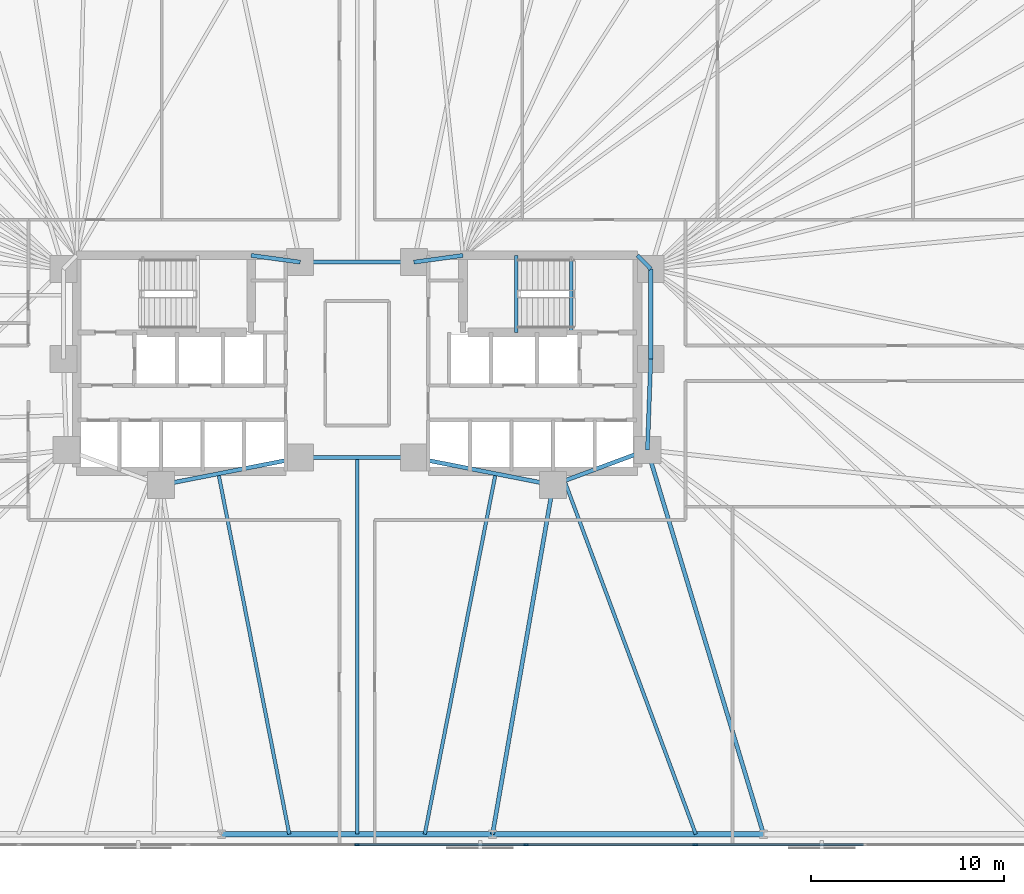
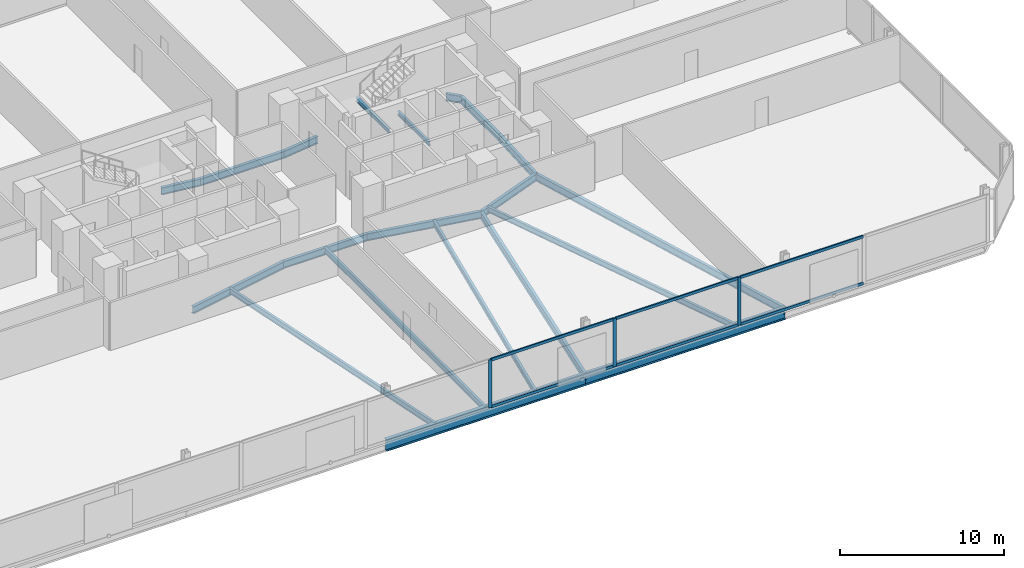
# One storey, part 7 of 16: 20 beams, 9 members, 1 element without a shape of its own.
"""IFC4 building model written with IfcOpenShell, lengths in metres."""

import ifcopenshell
import ifcopenshell.guid

model = None  # the IFC model being written
_history = None  # IfcOwnerHistory: only IFC2X3 demands one
_inside = {}  # id of a spatial element -> (the spatial element, [elements in it])
_under = {}  # id of a project, library or spatial element -> (it, [spatial elements below it])
_declared = {}  # id of a project -> (the project, [libraries it declares])
_typed = {}  # id of a type object -> (the type object, [elements of that type])
_made_of = {}  # id of a material, layer set ... -> (it, [elements and type objects made of it])


def new_model(schema):
    """Start an empty IFC model of exactly this schema.

    Asked for "IFC4X3", IfcOpenShell would pick the latest addendum, in which some entities
    have other attributes; the version numbers below select the first issue.
    IFC2X3 requires an IfcOwnerHistory on every rooted entity: one is made here for all.
    """
    global model, _history
    if schema == "IFC4X3":
        model = ifcopenshell.file(schema_version=(4, 3, 0, 0))
    else:
        model = ifcopenshell.file(schema=schema)
    _inside.clear()
    _under.clear()
    _declared.clear()
    _typed.clear()
    _made_of.clear()
    _history = None
    if model.schema == "IFC2X3":
        org = make("IfcOrganization", Name="unknown")
        user = make(
            "IfcPersonAndOrganization",
            ThePerson=make("IfcPerson", FamilyName="unknown"),
            TheOrganization=org,
        )
        app = make(
            "IfcApplication",
            ApplicationDeveloper=org,
            Version="unknown",
            ApplicationFullName="unknown",
            ApplicationIdentifier="unknown",
        )
        _history = make(
            "IfcOwnerHistory",
            OwningUser=user,
            OwningApplication=app,
            ChangeAction="ADDED",
            CreationDate=0,
        )
    return model


def make(cls, **values):
    """One entity of the class cls with the attributes given. An attribute that is None is left unset."""
    return model.create_entity(
        cls, **{name: value for name, value in values.items() if value is not None}
    )


def rooted(cls, **values):
    """An entity with a GlobalId (a new one), such as an element, a storey or a relation."""
    return make(cls, GlobalId=ifcopenshell.guid.new(), OwnerHistory=_history, **values)


def si_unit(unit_type, name, prefix=None):
    """IfcSIUnit, for example si_unit("LENGTHUNIT", "METRE", prefix="MILLI")."""
    return make("IfcSIUnit", UnitType=unit_type, Prefix=prefix, Name=name)


def assignment(units):
    """IfcUnitAssignment: the units of a project."""
    return None if units is None else make("IfcUnitAssignment", Units=units)


def point(xyz):
    """IfcCartesianPoint."""
    return None if xyz is None else make("IfcCartesianPoint", Coordinates=xyz)


def direction(xyz):
    """IfcDirection."""
    return None if xyz is None else make("IfcDirection", DirectionRatios=xyz)


def frame(location, z_axis=None, x_axis=None):
    """IfcAxis2Placement3D, a coordinate frame: its origin and axes. An axis left out is left unset."""
    return make(
        "IfcAxis2Placement3D",
        Location=point(location),
        Axis=direction(z_axis),
        RefDirection=direction(x_axis),
    )


def frame_2d(location, x_axis=None):
    """IfcAxis2Placement2D, a coordinate frame in the plane: its origin and x axis."""
    return make(
        "IfcAxis2Placement2D", Location=point(location), RefDirection=direction(x_axis)
    )


def origin():
    """The frame at (0, 0, 0) with its axes left unset."""
    return frame((0.0, 0.0, 0.0))


def origin_2d():
    """The frame at (0, 0) in the plane with its x axis left unset."""
    return frame_2d((0.0, 0.0))


def place(relative_to, where):
    """IfcLocalPlacement: puts the frame where relative to a parent placement (None: the world)."""
    return make(
        "IfcLocalPlacement", PlacementRelTo=relative_to, RelativePlacement=where
    )


def context(
    kind, dimensions, precision=None, world=None, true_north=None, identifier=None
):
    """IfcGeometricRepresentationContext, for example the 3D "Model" context."""
    return make(
        "IfcGeometricRepresentationContext",
        ContextIdentifier=identifier,
        ContextType=kind,
        CoordinateSpaceDimension=dimensions,
        Precision=precision,
        WorldCoordinateSystem=world,
        TrueNorth=true_north,
    )


def subcontext(parent, identifier, kind, view, scale=None):
    """IfcGeometricRepresentationSubContext, for example "Body" below "Model"."""
    return make(
        "IfcGeometricRepresentationSubContext",
        ContextIdentifier=identifier,
        ContextType=kind,
        ParentContext=parent,
        TargetScale=scale,
        TargetView=view,
    )


def project(units=None, contexts=None):
    """IfcProject with its units and contexts."""
    return rooted(
        "IfcProject",
        Name="project",
        RepresentationContexts=contexts,
        UnitsInContext=assignment(units),
    )


def spatial(cls, under=None, at=None, **own):
    """A site, building, storey or space (cls), placed at a placement, below another one or the project."""
    s = rooted(cls, ObjectPlacement=at, **own)
    if under is not None:
        _under.setdefault(under.id(), (under, []))[1].append(s)
    return s


def profile(cls, at=None, kind="AREA", **sizes):
    """A parametric profile (cls). Its sizes go by their IFC names, for example OverallWidth=200.0."""
    return make(cls, ProfileType=kind, Position=at, **sizes)


def rectangle(**sizes):
    """IfcRectangleProfileDef."""
    return profile("IfcRectangleProfileDef", **sizes)


def i_section(**sizes):
    """IfcIShapeProfileDef."""
    return profile("IfcIShapeProfileDef", **sizes)


def extrude(swept, where, along, depth):
    """IfcExtrudedAreaSolid: the profile swept, set in the frame where, extruded along a direction by depth."""
    return make(
        "IfcExtrudedAreaSolid",
        SweptArea=swept,
        Position=where,
        ExtrudedDirection=direction(along),
        Depth=depth,
    )


def shape(context_of_items, identifier, shape_type, items):
    """IfcShapeRepresentation: the items that make up one representation, for example the "Body"."""
    return make(
        "IfcShapeRepresentation",
        ContextOfItems=context_of_items,
        RepresentationIdentifier=identifier,
        RepresentationType=shape_type,
        Items=items,
    )


def material(Name=None, Category=None):
    """IfcMaterial."""
    return make("IfcMaterial", Name=Name, Category=Category)


def material_profile(
    of_material, cross_section, Name=None, Category=None, Priority=None
):
    """IfcMaterialProfile: a cross section and its material."""
    return make(
        "IfcMaterialProfile",
        Name=Name,
        Material=of_material,
        Profile=cross_section,
        Priority=Priority,
        Category=Category,
    )


def profile_set(profiles, Name=None, composite=None):
    """IfcMaterialProfileSet."""
    return make(
        "IfcMaterialProfileSet",
        Name=Name,
        MaterialProfiles=profiles,
        CompositeProfile=composite,
    )


def made_of(thing, what):
    """Note that an element or type object is made of a material, layer set ...; save() writes the relation."""
    if what is not None:
        _made_of.setdefault(what.id(), (what, []))[1].append(thing)
    return thing


def type_object(cls, material=None, **own):
    """A type object (cls), such as IfcWallType, which elements share."""
    return made_of(rooted(cls, **own), material)


def element(
    cls,
    number,
    at=None,
    inside=None,
    cuts=None,
    type_object=None,
    material=None,
    context=None,
    identifier="Body",
    shape_type=None,
    held_by="IfcProductDefinitionShape",
    body=None,
    shapes=None,
    **own,
):
    """One element of the class cls, such as IfcWall. Its Tag is "e" and its number.

    at: its placement. inside: the storey or other place that contains it. cuts: it is an
    opening in that element (IfcRelVoidsElement). A single representation is given by context,
    identifier, shape_type and body (its items); several are given by shapes. held_by: the class
    of the entity that holds the representations. save() writes the other relations.
    """
    e = rooted(cls, Tag="e%d" % number, ObjectPlacement=at, **own)
    if body is not None:
        shapes = [shape(context, identifier, shape_type, body)]
    if shapes is not None:
        e.Representation = make(held_by, Representations=shapes)
    if inside is not None:
        _inside.setdefault(inside.id(), (inside, []))[1].append(e)
    if cuts is not None:
        rooted(
            "IfcRelVoidsElement", RelatingBuildingElement=cuts, RelatedOpeningElement=e
        )
    if type_object is not None:
        _typed.setdefault(type_object.id(), (type_object, []))[1].append(e)
    return made_of(e, material)


def aggregate(whole, parts):
    """IfcRelAggregates: a whole, such as a stair, and the parts it consists of."""
    return rooted("IfcRelAggregates", RelatingObject=whole, RelatedObjects=parts)


def save(model, path):
    """Write the relations noted so far, then the file.

    IfcRelAggregates (storeys below a building ...), IfcRelContainedInSpatialStructure (elements
    in a storey), IfcRelDefinesByType, IfcRelAssociatesMaterial and IfcRelDeclares: one each for
    every whole, place, type object, material and project.
    """
    for whole, parts in _under.values():
        aggregate(whole, parts)
    for where, things in _inside.values():
        rooted(
            "IfcRelContainedInSpatialStructure",
            RelatedElements=things,
            RelatingStructure=where,
        )
    for kind, things in _typed.values():
        rooted("IfcRelDefinesByType", RelatedObjects=things, RelatingType=kind)
    for what, things in _made_of.values():
        rooted("IfcRelAssociatesMaterial", RelatedObjects=things, RelatingMaterial=what)
    for by, libraries in _declared.values():
        rooted("IfcRelDeclares", RelatingContext=by, RelatedDefinitions=libraries)
    model.write(path)


model = new_model("IFC4")

# Units and contexts
model_context = context("Model", 3, precision=1e-05, world=origin(), true_north=direction((0.0, 1.0)))
body_context = subcontext(model_context, "Body", "Model", "MODEL_VIEW")
ifc_project = project(units=[si_unit("LENGTHUNIT", "METRE"), si_unit("AREAUNIT", "SQUARE_METRE"), si_unit("VOLUMEUNIT", "CUBIC_METRE"), si_unit("PLANEANGLEUNIT", "RADIAN"), si_unit("MASSUNIT", "GRAM", prefix="KILO")], contexts=[model_context])

# Site, building, storey
site_placement = place(None, origin())
site = spatial("IfcSite", under=ifc_project, at=site_placement, CompositionType="ELEMENT")
building_placement = place(site_placement, origin())
building = spatial("IfcBuilding", under=site, at=building_placement, Name="Menara Jurai Vektor", CompositionType="ELEMENT")
storey_placement = place(building_placement, frame((0.0, 0.0, 59.800048828125)))
storey = spatial("IfcBuildingStorey", under=building, at=storey_placement, Name="L14", CompositionType="ELEMENT", Elevation=59.800048828125)

# Curtain wall, members
ifc_material_1 = material(Name="Anodised Pale Aluminium & Low-E Double Glazing", Category="aluminium")
curtain_wall_type = type_object("IfcCurtainWallType", Name="CW-BLK1", PredefinedType="NOTDEFINED", material=ifc_material_1)
curtain_wall_placement = place(storey_placement, origin())
curtain_wall = element("IfcCurtainWall", 1, at=curtain_wall_placement, inside=storey, type_object=curtain_wall_type, Name="Unitised Curtain Wall L14 F01", PredefinedType="NOTDEFINED")
ifc_material_2 = material(Name="Anodised Pale Aluminium Mullion", Category="aluminium")
ifc_material_profile_1 = material_profile(ifc_material_2, rectangle(XDim=0.094970703125, YDim=0.239990234375, at=origin_2d()), Name="ALU MUL 95x240")
ifc_profile_set_1 = profile_set([ifc_material_profile_1], Name="Anodised Pale Aluminium Mullion")
member_type_1 = type_object("IfcMemberType", Name="CW-BLK1-MUL", PredefinedType="MULLION", material=ifc_profile_set_1)
member_1_placement = place(storey_placement, frame((0.0, -25.0, 0.0), z_axis=(0.0, 0.0, 1.0), x_axis=(0.0, 1.0, 0.0)))
member_1 = element("IfcMember", 2, at=member_1_placement, type_object=member_type_1, Name="CW-01 mullion 5", PredefinedType="MULLION", context=body_context, shape_type="SweptSolid", body=[
    extrude(rectangle(XDim=0.094970703125, YDim=0.239990234375, at=origin_2d()), origin(), (0.0, 0.0, 1.0), 3.574951171875),
])
member_2_placement = place(storey_placement, frame((8.780029296875, -25.0, 0.0), z_axis=(0.0, 0.0, 1.0), x_axis=(0.0, 1.0, 0.0)))
member_2 = element("IfcMember", 3, at=member_2_placement, type_object=member_type_1, Name="CW-01 mullion 6", PredefinedType="MULLION", context=body_context, shape_type="SweptSolid", body=[
    extrude(rectangle(XDim=0.094970703125, YDim=0.239990234375, at=origin_2d()), origin(), (0.0, 0.0, 1.0), 3.574951171875),
])
member_3_placement = place(storey_placement, frame((17.56005859375, -25.0, 0.0), z_axis=(0.0, 0.0, 1.0), x_axis=(0.0, 1.0, 0.0)))
member_3 = element("IfcMember", 4, at=member_3_placement, type_object=member_type_1, Name="CW-01 mullion 7", PredefinedType="MULLION", context=body_context, shape_type="SweptSolid", body=[
    extrude(rectangle(XDim=0.094970703125, YDim=0.239990234375, at=origin_2d()), origin(), (0.0, 0.0, 1.0), 3.574951171875),
])
ifc_material_3 = material(Name="Anodised Pale Aluminium Transom", Category="aluminium")
ifc_material_profile_2 = material_profile(ifc_material_3, rectangle(XDim=0.094970703125, YDim=0.199951171875, at=origin_2d()), Name="ALU TRN 95x200")
ifc_profile_set_2 = profile_set([ifc_material_profile_2], Name="Anodised Pale Aluminium Transom")
member_type_2 = type_object("IfcMemberType", Name="CW-BLK1-TRN", PredefinedType="USERDEFINED", material=ifc_profile_set_2)
member_4_placement = place(storey_placement, frame((0.047607421875, -25.0, 0.04736328125), z_axis=(1.0, 0.0, 0.0), x_axis=(0.0, 1.0, 0.0)))
member_4 = element("IfcMember", 5, at=member_4_placement, type_object=member_type_2, Name="CW-01 transom 5.1", ObjectType="TRANSOM", PredefinedType="USERDEFINED", context=body_context, shape_type="SweptSolid", body=[
    extrude(rectangle(XDim=0.094970703125, YDim=0.199951171875, at=origin_2d()), origin(), (0.0, 0.0, 1.0), 8.684814453125),
])
member_5_placement = place(storey_placement, frame((0.047607421875, -25.0, 3.52734375), z_axis=(1.0, 0.0, 0.0), x_axis=(0.0, 1.0, 0.0)))
member_5 = element("IfcMember", 6, at=member_5_placement, type_object=member_type_2, Name="CW-01 transom 5.2", ObjectType="TRANSOM", PredefinedType="USERDEFINED", context=body_context, shape_type="SweptSolid", body=[
    extrude(rectangle(XDim=0.094970703125, YDim=0.199951171875, at=origin_2d()), origin(), (0.0, 0.0, 1.0), 8.684814453125),
])
member_6_placement = place(storey_placement, frame((8.827392578125, -25.0, 0.04736328125), z_axis=(1.0, 0.0, 0.0), x_axis=(0.0, 1.0, 0.0)))
member_6 = element("IfcMember", 7, at=member_6_placement, type_object=member_type_2, Name="CW-01 transom 6.1", ObjectType="TRANSOM", PredefinedType="USERDEFINED", context=body_context, shape_type="SweptSolid", body=[
    extrude(rectangle(XDim=0.094970703125, YDim=0.199951171875, at=origin_2d()), origin(), (0.0, 0.0, 1.0), 8.68505859375),
])
member_7_placement = place(storey_placement, frame((8.827392578125, -25.0, 3.52734375), z_axis=(1.0, 0.0, 0.0), x_axis=(0.0, 1.0, 0.0)))
member_7 = element("IfcMember", 8, at=member_7_placement, type_object=member_type_2, Name="CW-01 transom 6.2", ObjectType="TRANSOM", PredefinedType="USERDEFINED", context=body_context, shape_type="SweptSolid", body=[
    extrude(rectangle(XDim=0.094970703125, YDim=0.199951171875, at=origin_2d()), origin(), (0.0, 0.0, 1.0), 8.68505859375),
])
member_8_placement = place(storey_placement, frame((17.607421875, -25.0, 0.04736328125), z_axis=(1.0, 0.0, 0.0), x_axis=(0.0, 1.0, 0.0)))
member_8 = element("IfcMember", 9, at=member_8_placement, type_object=member_type_2, Name="CW-01 transom 7.1", ObjectType="TRANSOM", PredefinedType="USERDEFINED", context=body_context, shape_type="SweptSolid", body=[
    extrude(rectangle(XDim=0.094970703125, YDim=0.199951171875, at=origin_2d()), origin(), (0.0, 0.0, 1.0), 8.68505859375),
])
member_9_placement = place(storey_placement, frame((17.607421875, -25.0, 3.52734375), z_axis=(1.0, 0.0, 0.0), x_axis=(0.0, 1.0, 0.0)))
member_9 = element("IfcMember", 10, at=member_9_placement, type_object=member_type_2, Name="CW-01 transom 7.2", ObjectType="TRANSOM", PredefinedType="USERDEFINED", context=body_context, shape_type="SweptSolid", body=[
    extrude(rectangle(XDim=0.094970703125, YDim=0.199951171875, at=origin_2d()), origin(), (0.0, 0.0, 1.0), 8.68505859375),
])
aggregate(curtain_wall, [member_1, member_2, member_3, member_4, member_5, member_6, member_7, member_8, member_9])

# Beams
ifc_material_4 = material(Name="Steel S355", Category="steel")
ifc_material_profile_3 = material_profile(ifc_material_4, i_section(OverallWidth=0.2109375, OverallDepth=0.5390625, WebThickness=0.011962890625, FlangeThickness=0.01904296875, FilletRadius=0.012939453125, at=origin_2d()), Name="UKB 533x210x109")
ifc_profile_set_3 = profile_set([ifc_material_profile_3], Name="Steel S355")
beam_type_1 = type_object("IfcBeamType", Name="STR-BM-533", PredefinedType="BEAM", material=ifc_profile_set_3)
beam_1_placement = place(storey_placement, frame((-5.5, 5.60009765625, -0.49462890625), z_axis=(0.990706818608, -0.136014703483, 0.0), x_axis=(0.136014703483, 0.990706818608, 0.0)))
element("IfcBeam", 11, at=beam_1_placement, inside=storey, type_object=beam_type_1, Name="Core Ring Header Girder L14-CHW-N2", PredefinedType="BEAM", context=body_context, shape_type="SweptSolid", body=[
    extrude(i_section(OverallWidth=0.2109375, OverallDepth=0.5390625, WebThickness=0.011962890625, FlangeThickness=0.01904296875, FilletRadius=0.012939453125, at=origin_2d()), origin(), (0.0, 0.0, 1.0), 2.573974609375),
])
beam_2_placement = place(storey_placement, frame((-10.179931640625, -6.320068359375, -0.49462890625), z_axis=(0.981249044334, 0.192744164614, 0.0), x_axis=(-0.192744164614, 0.981249044334, 0.0)))
element("IfcBeam", 12, at=beam_2_placement, inside=storey, type_object=beam_type_1, Name="Core Ring Header Girder L14-CHW-S2", PredefinedType="BEAM", context=body_context, shape_type="SweptSolid", body=[
    extrude(i_section(OverallWidth=0.2109375, OverallDepth=0.5390625, WebThickness=0.011962890625, FlangeThickness=0.01904296875, FilletRadius=0.012939453125, at=origin_2d()), origin(), (0.0, 0.0, 1.0), 7.3681640625),
])
beam_3_placement = place(storey_placement, frame((2.949951171875, 5.25, -0.49462890625), z_axis=(0.990706818608, 0.136014703483, 0.0), x_axis=(-0.136014703483, 0.990706818608, 0.0)))
element("IfcBeam", 13, at=beam_3_placement, inside=storey, type_object=beam_type_1, Name="Core Ring Header Girder L14-CHE-N1", PredefinedType="BEAM", context=body_context, shape_type="SweptSolid", body=[
    extrude(i_section(OverallWidth=0.2109375, OverallDepth=0.5390625, WebThickness=0.011962890625, FlangeThickness=0.01904296875, FilletRadius=0.012939453125, at=origin_2d()), origin(), (0.0, 0.0, 1.0), 2.573974609375),
])
beam_4_placement = place(storey_placement, frame((14.56005859375, 5.60009765625, -0.49462890625), z_axis=(0.701871936926, -0.712303154672, 0.0), x_axis=(0.712303154672, 0.701871936926, 0.0)))
element("IfcBeam", 14, at=beam_4_placement, inside=storey, type_object=beam_type_1, Name="Core Ring Header Girder L14-CHE-N2", PredefinedType="BEAM", context=body_context, shape_type="SweptSolid", body=[
    extrude(i_section(OverallWidth=0.2109375, OverallDepth=0.5390625, WebThickness=0.011962890625, FlangeThickness=0.01904296875, FilletRadius=0.012939453125, at=origin_2d()), origin(), (0.0, 0.0, 1.0), 0.98291015625),
])
beam_5_placement = place(storey_placement, frame((15.25, 0.219970703125, -0.49462890625), z_axis=(0.0, 1.0, 0.0), x_axis=(-1.0, 0.0, 0.0)))
element("IfcBeam", 15, at=beam_5_placement, inside=storey, type_object=beam_type_1, Name="Core Ring Header Girder L14-CHE-E1", PredefinedType="BEAM", context=body_context, shape_type="SweptSolid", body=[
    extrude(i_section(OverallWidth=0.2109375, OverallDepth=0.5390625, WebThickness=0.011962890625, FlangeThickness=0.01904296875, FilletRadius=0.012939453125, at=origin_2d()), origin(), (0.0, 0.0, 1.0), 4.679931640625),
])
beam_6_placement = place(storey_placement, frame((15.080078125, -4.5, -0.49462890625), z_axis=(0.035977314146, 0.999352606874, 0.0), x_axis=(-0.999352606874, 0.035977314146, 0.0)))
element("IfcBeam", 16, at=beam_6_placement, inside=storey, type_object=beam_type_1, Name="Core Ring Header Girder L14-CHE-E2", PredefinedType="BEAM", context=body_context, shape_type="SweptSolid", body=[
    extrude(i_section(OverallWidth=0.2109375, OverallDepth=0.5390625, WebThickness=0.011962890625, FlangeThickness=0.01904296875, FilletRadius=0.012939453125, at=origin_2d()), origin(), (0.0, 0.0, 1.0), 4.72314453125),
])
beam_7_placement = place(storey_placement, frame((10.179931640625, -6.320068359375, -0.49462890625), z_axis=(0.937424400887, 0.348188874925, 0.0), x_axis=(-0.348188874925, 0.937424400887, 0.0)))
element("IfcBeam", 17, at=beam_7_placement, inside=storey, type_object=beam_type_1, Name="Core Ring Header Girder L14-CHE-S1", PredefinedType="BEAM", context=body_context, shape_type="SweptSolid", body=[
    extrude(i_section(OverallWidth=0.2109375, OverallDepth=0.5390625, WebThickness=0.011962890625, FlangeThickness=0.01904296875, FilletRadius=0.012939453125, at=origin_2d()), origin(), (0.0, 0.0, 1.0), 5.227294921875),
])
beam_8_placement = place(storey_placement, frame((2.949951171875, -4.89990234375, -0.49462890625), z_axis=(0.981249044334, -0.192744164614, 0.0), x_axis=(0.192744164614, 0.981249044334, 0.0)))
element("IfcBeam", 18, at=beam_8_placement, inside=storey, type_object=beam_type_1, Name="Core Ring Header Girder L14-CHE-S2", PredefinedType="BEAM", context=body_context, shape_type="SweptSolid", body=[
    extrude(i_section(OverallWidth=0.2109375, OverallDepth=0.5390625, WebThickness=0.011962890625, FlangeThickness=0.01904296875, FilletRadius=0.012939453125, at=origin_2d()), origin(), (0.0, 0.0, 1.0), 7.3681640625),
])
for number, where, z_axis, x_axis, name in (
    (19, (-2.949951171875, -4.89990234375, -0.49462890625), (1.0, 0.0, 0.0), (0.0, 1.0, 0.0), "Core Ring Header Girder L14-CC-1"),
    (20, (-2.949951171875, 5.25, -0.49462890625), (1.0, 0.0, 0.0), (0.0, 1.0, 0.0), "Core Ring Header Girder L14-CC-2"),
):
    element("IfcBeam", number, at=place(storey_placement, frame(where, z_axis=z_axis, x_axis=x_axis)), inside=storey, type_object=beam_type_1, Name=name, PredefinedType="BEAM", context=body_context, shape_type="SweptSolid", body=[
        extrude(i_section(OverallWidth=0.2109375, OverallDepth=0.5390625, WebThickness=0.011962890625, FlangeThickness=0.01904296875, FilletRadius=0.012939453125, at=origin_2d()), origin(), (0.0, 0.0, 1.0), 5.89990234375),
    ])
beam_9_placement = place(storey_placement, frame((7.03564453125, -24.449951171875, -0.49462890625), z_axis=(0.170880325642, 0.985291791455, 0.0), x_axis=(-0.985291791455, 0.170880325642, 0.0)))
element("IfcBeam", 21, at=beam_9_placement, inside=storey, type_object=beam_type_1, Name="Radial Floor Girder L14-S4", PredefinedType="BEAM", context=body_context, shape_type="SweptSolid", body=[
    extrude(i_section(OverallWidth=0.2109375, OverallDepth=0.5390625, WebThickness=0.011962890625, FlangeThickness=0.01904296875, FilletRadius=0.012939453125, at=origin_2d()), origin(), (0.0, 0.0, 1.0), 18.400634765625),
])
beam_10_placement = place(storey_placement, frame((21.106689453125, -24.449951171875, -0.49462890625), z_axis=(-0.289179812203, 0.957274796604, 0.0), x_axis=(-0.957274796604, -0.289179812203, 0.0)))
element("IfcBeam", 22, at=beam_10_placement, inside=storey, type_object=beam_type_1, Name="Radial Floor Girder L14-S5", PredefinedType="BEAM", context=body_context, shape_type="SweptSolid", body=[
    extrude(i_section(OverallWidth=0.2109375, OverallDepth=0.5390625, WebThickness=0.011962890625, FlangeThickness=0.01904296875, FilletRadius=0.012939453125, at=origin_2d()), origin(), (0.0, 0.0, 1.0), 20.84033203125),
])
ifc_material_profile_4 = material_profile(ifc_material_4, i_section(OverallWidth=0.178955078125, OverallDepth=0.408935546875, WebThickness=0.009033203125, FlangeThickness=0.013916015625, FilletRadius=0.010009765625, at=origin_2d()), Name="UKB 406x178x67")
ifc_profile_set_4 = profile_set([ifc_material_profile_4], Name="Steel S355")
beam_type_2 = type_object("IfcBeamType", Name="STR-JS-406", PredefinedType="JOIST", material=ifc_profile_set_4)
beam_11_placement = place(storey_placement, frame((-3.517822265625, -24.449951171875, -0.429443359375), z_axis=(-0.192723076671, 0.981253186348, 0.0), x_axis=(-0.981253186348, -0.192723076671, 0.0)))
element("IfcBeam", 23, at=beam_11_placement, inside=storey, type_object=beam_type_2, Name="Radial Secondary Floor Joist L14-JS04", PredefinedType="JOIST", context=body_context, shape_type="SweptSolid", body=[
    extrude(i_section(OverallWidth=0.178955078125, OverallDepth=0.408935546875, WebThickness=0.009033203125, FlangeThickness=0.013916015625, FilletRadius=0.010009765625, at=origin_2d()), origin(), (0.0, 0.0, 1.0), 19.07421875),
])
beam_12_placement = place(storey_placement, frame((0.0, -24.449951171875, -0.429443359375), z_axis=(0.0, 1.0, 0.0), x_axis=(-1.0, 0.0, 0.0)))
element("IfcBeam", 24, at=beam_12_placement, inside=storey, type_object=beam_type_2, Name="Radial Secondary Floor Joist L14-JS05", PredefinedType="JOIST", context=body_context, shape_type="SweptSolid", body=[
    extrude(i_section(OverallWidth=0.178955078125, OverallDepth=0.408935546875, WebThickness=0.009033203125, FlangeThickness=0.013916015625, FilletRadius=0.010009765625, at=origin_2d()), origin(), (0.0, 0.0, 1.0), 19.550048828125),
])
beam_13_placement = place(storey_placement, frame((3.517822265625, -24.449951171875, -0.429443359375), z_axis=(0.192723076671, 0.981253186348, 0.0), x_axis=(-0.981253186348, 0.192723076671, 0.0)))
element("IfcBeam", 25, at=beam_13_placement, inside=storey, type_object=beam_type_2, Name="Radial Secondary Floor Joist L14-JS06", PredefinedType="JOIST", context=body_context, shape_type="SweptSolid", body=[
    extrude(i_section(OverallWidth=0.178955078125, OverallDepth=0.408935546875, WebThickness=0.009033203125, FlangeThickness=0.013916015625, FilletRadius=0.010009765625, at=origin_2d()), origin(), (0.0, 0.0, 1.0), 19.07421875),
])
beam_14_placement = place(storey_placement, frame((17.5888671875, -24.449951171875, -0.429443359375), z_axis=(-0.348179014223, 0.937428063403, 0.0), x_axis=(-0.937428063403, -0.348179014223, 0.0)))
element("IfcBeam", 26, at=beam_14_placement, inside=storey, type_object=beam_type_2, Name="Radial Secondary Floor Joist L14-JS07", PredefinedType="JOIST", context=body_context, shape_type="SweptSolid", body=[
    extrude(i_section(OverallWidth=0.178955078125, OverallDepth=0.408935546875, WebThickness=0.009033203125, FlangeThickness=0.013916015625, FilletRadius=0.010009765625, at=origin_2d()), origin(), (0.0, 0.0, 1.0), 19.5751953125),
])
ifc_material_profile_5 = material_profile(ifc_material_4, i_section(OverallWidth=0.1650390625, OverallDepth=0.302978515625, WebThickness=0.006103515625, FlangeThickness=0.010009765625, FilletRadius=0.009033203125, at=origin_2d()), Name="UKB 305x165x40")
ifc_profile_set_5 = profile_set([ifc_material_profile_5], Name="Steel S355")
beam_type_3 = type_object("IfcBeamType", Name="STR-LN-305", PredefinedType="LINTEL", material=ifc_profile_set_5)
beam_15_placement = place(storey_placement, frame((11.1201171875, 1.60009765625, -0.37646484375), z_axis=(0.0, 1.0, 0.0), x_axis=(-1.0, 0.0, 0.0)))
element("IfcBeam", 27, at=beam_15_placement, inside=storey, type_object=beam_type_3, Name="Stair Well Floor Trimmer ST2 L14", PredefinedType="LINTEL", context=body_context, shape_type="SweptSolid", body=[
    extrude(i_section(OverallWidth=0.1650390625, OverallDepth=0.302978515625, WebThickness=0.006103515625, FlangeThickness=0.010009765625, FilletRadius=0.009033203125, at=origin_2d()), origin(), (0.0, 0.0, 1.0), 3.81982421875),
])
beam_16_placement = place(storey_placement, frame((8.27001953125, 1.60009765625, 1.54833984375), z_axis=(0.0, 1.0, 0.0), x_axis=(-1.0, 0.0, 0.0)))
element("IfcBeam", 28, at=beam_16_placement, inside=storey, type_object=beam_type_3, Name="Stair Half-Landing Nosing Trimmer ST2-1 L14", PredefinedType="LINTEL", context=body_context, shape_type="SweptSolid", body=[
    extrude(i_section(OverallWidth=0.1650390625, OverallDepth=0.302978515625, WebThickness=0.006103515625, FlangeThickness=0.010009765625, FilletRadius=0.009033203125, at=origin_2d()), origin(), (0.0, 0.0, 1.0), 4.0),
])
ifc_material_5 = material(Name="Steel S460", Category="steel")
ifc_material_profile_6 = material_profile(ifc_material_5, i_section(OverallWidth=0.2939453125, OverallDepth=0.85107421875, WebThickness=0.01611328125, FlangeThickness=0.027099609375, FilletRadius=0.01806640625, at=origin_2d()), Name="UKB 838x292x226")
ifc_profile_set_6 = profile_set([ifc_material_profile_6], Name="Steel S460")
beam_type_4 = type_object("IfcBeamType", Name="STR-SP-838", PredefinedType="SPANDREL", material=ifc_profile_set_6)
beam_17_placement = place(storey_placement, frame((-7.03564453125, -24.449951171875, -0.650634765625), z_axis=(1.0, 0.0, 0.0), x_axis=(0.0, 1.0, 0.0)))
element("IfcBeam", 29, at=beam_17_placement, inside=storey, type_object=beam_type_4, Name="Exoskeleton Spandrel Beam L14-03", PredefinedType="SPANDREL", context=body_context, shape_type="SweptSolid", body=[
    extrude(i_section(OverallWidth=0.2939453125, OverallDepth=0.85107421875, WebThickness=0.01611328125, FlangeThickness=0.027099609375, FilletRadius=0.01806640625, at=origin_2d()), origin(), (0.0, 0.0, 1.0), 14.0712890625),
])
beam_18_placement = place(storey_placement, frame((7.03564453125, -24.449951171875, -0.650634765625), z_axis=(1.0, 0.0, 0.0), x_axis=(0.0, 1.0, 0.0)))
element("IfcBeam", 30, at=beam_18_placement, inside=storey, type_object=beam_type_4, Name="Exoskeleton Spandrel Beam L14-04", PredefinedType="SPANDREL", context=body_context, shape_type="SweptSolid", body=[
    extrude(i_section(OverallWidth=0.2939453125, OverallDepth=0.85107421875, WebThickness=0.01611328125, FlangeThickness=0.027099609375, FilletRadius=0.01806640625, at=origin_2d()), origin(), (0.0, 0.0, 1.0), 14.071044921875),
])

save(model, "model.ifc")
